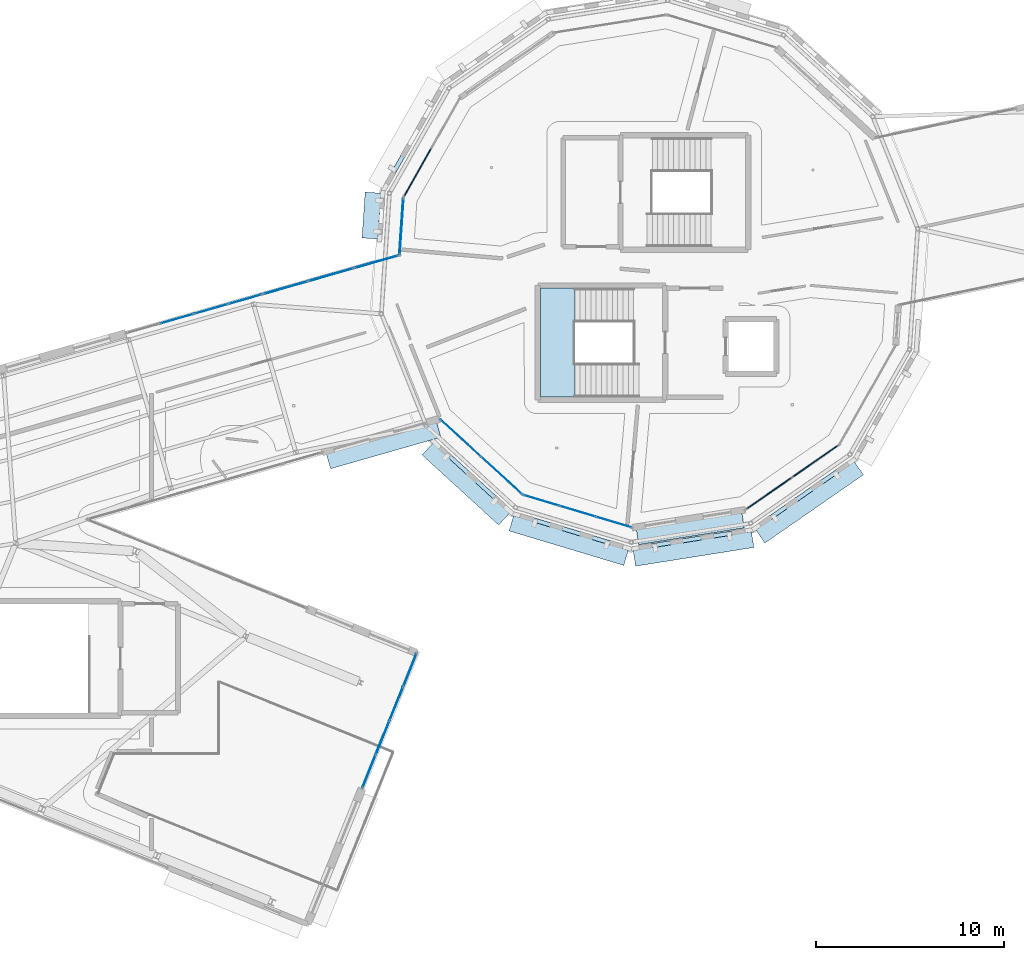
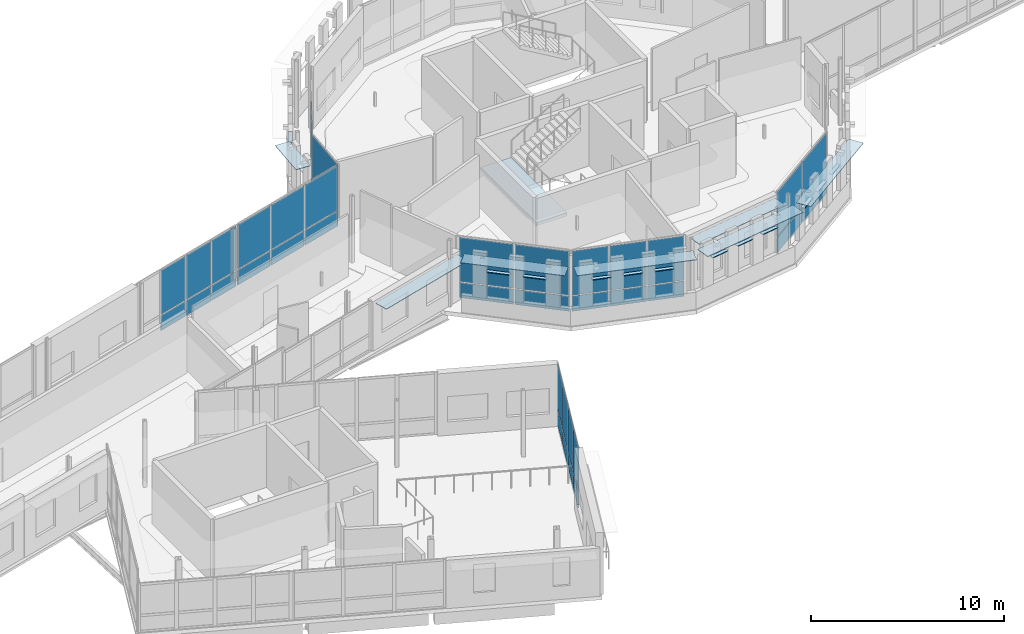
# One storey, part 76 of 125: 57 plates, 1 slab, 9 elements without a shape of their own.
"""IFC4 building model written with IfcOpenShell, lengths in metres."""

from ifc_helpers import new_model, si_unit, direction, frame, origin, origin_2d, place, context, subcontext, project, spatial, polyline, rectangle, outline, extrude, material, layer, layer_set, type_object, element, aggregate, save


model = new_model("IFC4")

# Units and contexts
model_context = context("Model", 3, precision=1e-05, world=origin(), true_north=direction((0.0, 1.0)))
body_context = subcontext(model_context, "Body", "Model", "MODEL_VIEW")
ifc_project = project(units=[si_unit("LENGTHUNIT", "METRE"), si_unit("AREAUNIT", "SQUARE_METRE"), si_unit("VOLUMEUNIT", "CUBIC_METRE"), si_unit("PLANEANGLEUNIT", "RADIAN"), si_unit("MASSUNIT", "GRAM", prefix="KILO")], contexts=[model_context])

# Site, building, storey
site_placement = place(None, origin())
site = spatial("IfcSite", under=ifc_project, at=site_placement, CompositionType="ELEMENT")
building_placement = place(site_placement, origin())
building = spatial("IfcBuilding", under=site, at=building_placement, Name="Wrenclough Park School", CompositionType="ELEMENT")
storey_placement = place(building_placement, frame((0.0, 0.0, 4.199951171875)))
storey = spatial("IfcBuildingStorey", under=building, at=storey_placement, Name="L01", CompositionType="ELEMENT", Elevation=4.199951171875)

# Curtain wall, plates
ifc_material_1 = material(Name="Thermally broken aluminium and low-e glass curtain wall", Category="aluminium")
curtain_wall_type_1 = type_object("IfcCurtainWallType", Name="ENV-CW-05", PredefinedType="USERDEFINED", material=ifc_material_1)
curtain_wall_1_placement = place(storey_placement, origin())
curtain_wall_1 = element("IfcCurtainWall", 1, at=curtain_wall_1_placement, inside=storey, type_object=curtain_wall_type_1, Name="L01 recessed curtain wall assembly 100", ObjectType="CURTAIN WALL", PredefinedType="USERDEFINED")
ifc_material_2 = material(Name="Double-glazed solar-control low-e glass", Category="glass")
ifc_layer_1 = layer(ifc_material_2, 0.02587890625)
ifc_layer_set_1 = layer_set([ifc_layer_1], Name="Double-glazed solar-control low-e glass")
plate_type_1 = type_object("IfcPlateType", Name="ENV-CWP-GL26", PredefinedType="CURTAIN_PANEL", material=ifc_layer_set_1)
plate_1_placement = place(storey_placement, frame((57.858642578125, 105.97607421875, 0.06494140625), z_axis=(0.0, 0.0, 1.0), x_axis=(0.96152245159, 0.274726364021, 0.0)))
plate_1 = element("IfcPlate", 2, at=plate_1_placement, type_object=plate_type_1, Name="CW-05 panel 2.1", PredefinedType="CURTAIN_PANEL", context=body_context, shape_type="SweptSolid", body=[
    extrude(rectangle(XDim=1.826904296875, YDim=0.02587890625, at=origin_2d()), origin(), (0.0, 0.0, 1.0), 0.952392578125),
])
plate_2_placement = place(storey_placement, frame((57.858642578125, 105.97607421875, 1.08251953125), z_axis=(0.0, 0.0, 1.0), x_axis=(0.96152245159, 0.274726364021, 0.0)))
plate_2 = element("IfcPlate", 3, at=plate_2_placement, type_object=plate_type_1, Name="CW-05 panel 2.2", PredefinedType="CURTAIN_PANEL", context=body_context, shape_type="SweptSolid", body=[
    extrude(rectangle(XDim=1.826904296875, YDim=0.02587890625, at=origin_2d()), origin(), (0.0, 0.0, 1.0), 2.79248046875),
])
plate_3_placement = place(storey_placement, frame((59.677490234375, 106.49560546875, 0.06494140625), z_axis=(0.0, 0.0, 1.0), x_axis=(0.96152245159, 0.274726364021, 0.0)))
plate_3 = element("IfcPlate", 4, at=plate_3_placement, type_object=plate_type_1, Name="CW-05 panel 3.1", PredefinedType="CURTAIN_PANEL", context=body_context, shape_type="SweptSolid", body=[
    extrude(rectangle(XDim=1.826904296875, YDim=0.02587890625, at=origin_2d()), origin(), (0.0, 0.0, 1.0), 0.952392578125),
])
plate_4_placement = place(storey_placement, frame((59.677490234375, 106.49560546875, 1.08251953125), z_axis=(0.0, 0.0, 1.0), x_axis=(0.96152245159, 0.274726364021, 0.0)))
plate_4 = element("IfcPlate", 5, at=plate_4_placement, type_object=plate_type_1, Name="CW-05 panel 3.2", PredefinedType="CURTAIN_PANEL", context=body_context, shape_type="SweptSolid", body=[
    extrude(rectangle(XDim=1.826904296875, YDim=0.02587890625, at=origin_2d()), origin(), (0.0, 0.0, 1.0), 2.79248046875),
])
plate_5_placement = place(storey_placement, frame((61.48095703125, 107.010986328125, 0.06494140625), z_axis=(0.0, 0.0, 1.0), x_axis=(0.96152245159, 0.274726364021, 0.0)))
plate_5 = element("IfcPlate", 6, at=plate_5_placement, type_object=plate_type_1, Name="CW-05 panel 4.1", PredefinedType="CURTAIN_PANEL", context=body_context, shape_type="SweptSolid", body=[
    extrude(rectangle(XDim=1.794189453125, YDim=0.02587890625, at=origin_2d()), origin(), (0.0, 0.0, 1.0), 0.952392578125),
])
plate_6_placement = place(storey_placement, frame((61.48095703125, 107.010986328125, 1.08251953125), z_axis=(0.0, 0.0, 1.0), x_axis=(0.96152245159, 0.274726364021, 0.0)))
plate_6 = element("IfcPlate", 7, at=plate_6_placement, type_object=plate_type_1, Name="CW-05 panel 4.2", PredefinedType="CURTAIN_PANEL", context=body_context, shape_type="SweptSolid", body=[
    extrude(rectangle(XDim=1.794189453125, YDim=0.02587890625, at=origin_2d()), origin(), (0.0, 0.0, 1.0), 2.79248046875),
])
aggregate(curtain_wall_1, [plate_1, plate_2, plate_3, plate_4, plate_5, plate_6])

curtain_wall_type_2 = type_object("IfcCurtainWallType", Name="ENV-CW-09", PredefinedType="USERDEFINED", material=ifc_material_1)
curtain_wall_2_placement = place(storey_placement, origin())
curtain_wall_2 = element("IfcCurtainWall", 8, at=curtain_wall_2_placement, inside=storey, type_object=curtain_wall_type_2, Name="L01 recessed curtain wall assembly 168", ObjectType="CURTAIN WALL", PredefinedType="USERDEFINED")
plate_7_placement = place(storey_placement, frame((81.091552734375, 95.15087890625, 0.06005859375), z_axis=(0.0, 0.0, 1.0), x_axis=(-0.957755621798, 0.287583325168, 0.0)))
plate_7 = element("IfcPlate", 9, at=plate_7_placement, type_object=plate_type_1, Name="CW-09 panel 1.1", PredefinedType="CURTAIN_PANEL", context=body_context, shape_type="SweptSolid", body=[
    extrude(rectangle(XDim=1.936279296875, YDim=0.02587890625, at=origin_2d()), origin(), (0.0, 0.0, 1.0), 0.9599609375),
])
plate_8_placement = place(storey_placement, frame((81.091552734375, 95.15087890625, 1.080078125), z_axis=(0.0, 0.0, 1.0), x_axis=(-0.957755621798, 0.287583325168, 0.0)))
plate_8 = element("IfcPlate", 10, at=plate_8_placement, type_object=plate_type_1, Name="CW-09 panel 1.2", PredefinedType="CURTAIN_PANEL", context=body_context, shape_type="SweptSolid", body=[
    extrude(rectangle(XDim=1.936279296875, YDim=0.02587890625, at=origin_2d()), origin(), (0.0, 0.0, 1.0), 2.800048828125),
])
plate_9_placement = place(storey_placement, frame((79.165283203125, 95.729248046875, 0.06005859375), z_axis=(0.0, 0.0, 1.0), x_axis=(-0.957755621798, 0.287583325168, 0.0)))
plate_9 = element("IfcPlate", 11, at=plate_9_placement, type_object=plate_type_1, Name="CW-09 panel 2.1", PredefinedType="CURTAIN_PANEL", context=body_context, shape_type="SweptSolid", body=[
    extrude(rectangle(XDim=1.96630859375, YDim=0.02587890625, at=origin_2d()), origin(), (0.0, 0.0, 1.0), 0.9599609375),
])
plate_10_placement = place(storey_placement, frame((79.165283203125, 95.729248046875, 1.080078125), z_axis=(0.0, 0.0, 1.0), x_axis=(-0.957755621798, 0.287583325168, 0.0)))
plate_10 = element("IfcPlate", 12, at=plate_10_placement, type_object=plate_type_1, Name="CW-09 panel 2.2", PredefinedType="CURTAIN_PANEL", context=body_context, shape_type="SweptSolid", body=[
    extrude(rectangle(XDim=1.96630859375, YDim=0.02587890625, at=origin_2d()), origin(), (0.0, 0.0, 1.0), 2.800048828125),
])
plate_11_placement = place(storey_placement, frame((77.239013671875, 96.3076171875, 0.06005859375), z_axis=(0.0, 0.0, 1.0), x_axis=(-0.957755621798, 0.287583325168, 0.0)))
plate_11 = element("IfcPlate", 13, at=plate_11_placement, type_object=plate_type_1, Name="CW-09 panel 3.1", PredefinedType="CURTAIN_PANEL", context=body_context, shape_type="SweptSolid", body=[
    extrude(rectangle(XDim=1.936279296875, YDim=0.02587890625, at=origin_2d()), origin(), (0.0, 0.0, 1.0), 0.9599609375),
])
plate_12_placement = place(storey_placement, frame((77.239013671875, 96.3076171875, 1.080078125), z_axis=(0.0, 0.0, 1.0), x_axis=(-0.957755621798, 0.287583325168, 0.0)))
plate_12 = element("IfcPlate", 14, at=plate_12_placement, type_object=plate_type_1, Name="CW-09 panel 3.2", PredefinedType="CURTAIN_PANEL", context=body_context, shape_type="SweptSolid", body=[
    extrude(rectangle(XDim=1.936279296875, YDim=0.02587890625, at=origin_2d()), origin(), (0.0, 0.0, 1.0), 2.800048828125),
])
aggregate(curtain_wall_2, [plate_7, plate_8, plate_9, plate_10, plate_11, plate_12])

curtain_wall_type_3 = type_object("IfcCurtainWallType", Name="ENV-CW-10", PredefinedType="USERDEFINED", material=ifc_material_1)
curtain_wall_3_placement = place(storey_placement, origin())
curtain_wall_3 = element("IfcCurtainWall", 15, at=curtain_wall_3_placement, inside=storey, type_object=curtain_wall_type_3, Name="L01 recessed curtain wall assembly 169", ObjectType="CURTAIN WALL", PredefinedType="USERDEFINED")
ifc_material_3 = material(Name="Double-glazed acoustic low-e glass", Category="glass")
ifc_layer_2 = layer(ifc_material_3, 0.030029296875)
ifc_layer_set_2 = layer_set([ifc_layer_2], Name="Double-glazed acoustic low-e glass")
plate_type_2 = type_object("IfcPlateType", Name="ENV-CWP-GL30", PredefinedType="CURTAIN_PANEL", material=ifc_layer_set_2)
plate_13_placement = place(storey_placement, frame((75.130859375, 97.6279296875, 0.06494140625), z_axis=(0.0, 0.0, 1.0), x_axis=(-0.738120799972, 0.67466857393, 0.0)))
plate_13 = element("IfcPlate", 16, at=plate_13_placement, type_object=plate_type_2, Name="CW-10 panel 1.1", PredefinedType="CURTAIN_PANEL", context=body_context, shape_type="SweptSolid", body=[
    extrude(rectangle(XDim=2.895263671875, YDim=0.030029296875, at=origin_2d()), origin(), (0.0, 0.0, 1.0), 0.952392578125),
])
plate_14_placement = place(storey_placement, frame((75.130859375, 97.6279296875, 1.08251953125), z_axis=(0.0, 0.0, 1.0), x_axis=(-0.738120799972, 0.67466857393, 0.0)))
plate_14 = element("IfcPlate", 17, at=plate_14_placement, type_object=plate_type_2, Name="CW-10 panel 1.2", PredefinedType="CURTAIN_PANEL", context=body_context, shape_type="SweptSolid", body=[
    extrude(rectangle(XDim=2.895263671875, YDim=0.030029296875, at=origin_2d()), origin(), (0.0, 0.0, 1.0), 2.79248046875),
])
plate_15_placement = place(storey_placement, frame((72.94580078125, 99.625, 0.06494140625), z_axis=(0.0, 0.0, 1.0), x_axis=(-0.738120799972, 0.67466857393, 0.0)))
plate_15 = element("IfcPlate", 18, at=plate_15_placement, type_object=plate_type_2, Name="CW-10 panel 2.1", PredefinedType="CURTAIN_PANEL", context=body_context, shape_type="SweptSolid", body=[
    extrude(rectangle(XDim=2.895263671875, YDim=0.030029296875, at=origin_2d()), origin(), (0.0, 0.0, 1.0), 0.952392578125),
])
plate_16_placement = place(storey_placement, frame((72.94580078125, 99.625, 1.08251953125), z_axis=(0.0, 0.0, 1.0), x_axis=(-0.738120799972, 0.67466857393, 0.0)))
plate_16 = element("IfcPlate", 19, at=plate_16_placement, type_object=plate_type_2, Name="CW-10 panel 2.2", PredefinedType="CURTAIN_PANEL", context=body_context, shape_type="SweptSolid", body=[
    extrude(rectangle(XDim=2.895263671875, YDim=0.030029296875, at=origin_2d()), origin(), (0.0, 0.0, 1.0), 2.79248046875),
])
aggregate(curtain_wall_3, [plate_13, plate_14, plate_15, plate_16])

curtain_wall_type_4 = type_object("IfcCurtainWallType", Name="ENV-CW-06", PredefinedType="USERDEFINED", material=ifc_material_1)
curtain_wall_4_placement = place(storey_placement, origin())
curtain_wall_4 = element("IfcCurtainWall", 20, at=curtain_wall_4_placement, inside=storey, type_object=curtain_wall_type_4, Name="L01 recessed curtain wall assembly 101", ObjectType="CURTAIN WALL", PredefinedType="USERDEFINED")
ifc_material_4 = material(Name="Insulated anodised aluminium spandrel panel", Category="aluminium")
ifc_layer_3 = layer(ifc_material_4, 0.0419921875)
ifc_layer_set_3 = layer_set([ifc_layer_3], Name="Insulated anodised aluminium spandrel panel")
plate_type_3 = type_object("IfcPlateType", Name="ENV-CWP-SP42", PredefinedType="CURTAIN_PANEL", material=ifc_layer_set_3)
plate_17_placement = place(storey_placement, frame((63.643310546875, 107.628662109375, 0.06982421875), z_axis=(0.0, 0.0, 1.0), x_axis=(0.961525942338, 0.274714146361, 0.0)))
plate_17 = element("IfcPlate", 21, at=plate_17_placement, type_object=plate_type_3, Name="CW-06 panel 1.1", PredefinedType="CURTAIN_PANEL", context=body_context, shape_type="SweptSolid", body=[
    extrude(rectangle(XDim=2.41748046875, YDim=0.0419921875, at=origin_2d()), origin(), (0.0, 0.0, 1.0), 0.945068359375),
])
plate_18_placement = place(storey_placement, frame((63.643310546875, 107.628662109375, 1.0849609375), z_axis=(0.0, 0.0, 1.0), x_axis=(0.961525942338, 0.274714146361, 0.0)))
plate_18 = element("IfcPlate", 22, at=plate_18_placement, type_object=plate_type_3, Name="CW-06 panel 1.2", PredefinedType="CURTAIN_PANEL", context=body_context, shape_type="SweptSolid", body=[
    extrude(rectangle(XDim=2.41748046875, YDim=0.0419921875, at=origin_2d()), origin(), (0.0, 0.0, 1.0), 2.784912109375),
])
plate_19_placement = place(storey_placement, frame((66.0517578125, 108.31689453125, 0.06982421875), z_axis=(0.0, 0.0, 1.0), x_axis=(0.961525942338, 0.274714146361, 0.0)))
plate_19 = element("IfcPlate", 23, at=plate_19_placement, type_object=plate_type_3, Name="CW-06 panel 2.1", PredefinedType="CURTAIN_PANEL", context=body_context, shape_type="SweptSolid", body=[
    extrude(rectangle(XDim=2.452392578125, YDim=0.0419921875, at=origin_2d()), origin(), (0.0, 0.0, 1.0), 0.945068359375),
])
plate_20_placement = place(storey_placement, frame((66.0517578125, 108.31689453125, 1.0849609375), z_axis=(0.0, 0.0, 1.0), x_axis=(0.961525942338, 0.274714146361, 0.0)))
plate_20 = element("IfcPlate", 24, at=plate_20_placement, type_object=plate_type_3, Name="CW-06 panel 2.2", PredefinedType="CURTAIN_PANEL", context=body_context, shape_type="SweptSolid", body=[
    extrude(rectangle(XDim=2.452392578125, YDim=0.0419921875, at=origin_2d()), origin(), (0.0, 0.0, 1.0), 2.784912109375),
])
plate_21_placement = place(storey_placement, frame((68.460205078125, 109.005126953125, 0.06982421875), z_axis=(0.0, 0.0, 1.0), x_axis=(0.961525942338, 0.274714146361, 0.0)))
plate_21 = element("IfcPlate", 25, at=plate_21_placement, type_object=plate_type_3, Name="CW-06 panel 3.1", PredefinedType="CURTAIN_PANEL", context=body_context, shape_type="SweptSolid", body=[
    extrude(rectangle(XDim=2.41748046875, YDim=0.0419921875, at=origin_2d()), origin(), (0.0, 0.0, 1.0), 0.945068359375),
])
plate_22_placement = place(storey_placement, frame((68.460205078125, 109.005126953125, 1.0849609375), z_axis=(0.0, 0.0, 1.0), x_axis=(0.961525942338, 0.274714146361, 0.0)))
plate_22 = element("IfcPlate", 26, at=plate_22_placement, type_object=plate_type_3, Name="CW-06 panel 3.2", PredefinedType="CURTAIN_PANEL", context=body_context, shape_type="SweptSolid", body=[
    extrude(rectangle(XDim=2.41748046875, YDim=0.0419921875, at=origin_2d()), origin(), (0.0, 0.0, 1.0), 2.784912109375),
])
aggregate(curtain_wall_4, [plate_17, plate_18, plate_19, plate_20, plate_21, plate_22])

curtain_wall_type_5 = type_object("IfcCurtainWallType", Name="ENV-CW-07", PredefinedType="USERDEFINED", material=ifc_material_1)
curtain_wall_5_placement = place(storey_placement, origin())
curtain_wall_5 = element("IfcCurtainWall", 27, at=curtain_wall_5_placement, inside=storey, type_object=curtain_wall_type_5, Name="L01 recessed curtain wall assembly 102", ObjectType="CURTAIN WALL", PredefinedType="USERDEFINED")
ifc_material_5 = material(Name="Insulated patinated copper-toned spandrel panel", Category="aluminium")
ifc_layer_4 = layer(ifc_material_5, 0.048095703125)
ifc_layer_set_4 = layer_set([ifc_layer_4], Name="Insulated patinated copper-toned spandrel panel")
plate_type_4 = type_object("IfcPlateType", Name="ENV-CWP-SP48", PredefinedType="CURTAIN_PANEL", material=ifc_layer_set_4)
plate_23_placement = place(storey_placement, frame((69.797119140625, 110.8955078125, 0.06005859375), z_axis=(0.0, 0.0, 1.0), x_axis=(0.067252867383, 0.997735962983, 0.0)))
plate_23 = element("IfcPlate", 28, at=plate_23_placement, type_object=plate_type_4, Name="CW-07 panel 1.1", PredefinedType="CURTAIN_PANEL", context=body_context, shape_type="SweptSolid", body=[
    extrude(rectangle(XDim=2.955078125, YDim=0.048095703125, at=origin_2d()), origin(), (0.0, 0.0, 1.0), 0.9599609375),
])
plate_24_placement = place(storey_placement, frame((69.797119140625, 110.8955078125, 1.080078125), z_axis=(0.0, 0.0, 1.0), x_axis=(0.067252867383, 0.997735962983, 0.0)))
plate_24 = element("IfcPlate", 29, at=plate_24_placement, type_object=plate_type_4, Name="CW-07 panel 1.2", PredefinedType="CURTAIN_PANEL", context=body_context, shape_type="SweptSolid", body=[
    extrude(rectangle(XDim=2.955078125, YDim=0.048095703125, at=origin_2d()), origin(), (0.0, 0.0, 1.0), 2.800048828125),
])
aggregate(curtain_wall_5, [plate_23, plate_24])

curtain_wall_type_6 = type_object("IfcCurtainWallType", Name="ENV-CW-15", PredefinedType="USERDEFINED", material=ifc_material_1)
curtain_wall_6_placement = place(storey_placement, origin())
curtain_wall_6 = element("IfcCurtainWall", 30, at=curtain_wall_6_placement, inside=storey, type_object=curtain_wall_type_6, Name="L01 recessed curtain wall assembly 174", ObjectType="CURTAIN WALL", PredefinedType="USERDEFINED")
plate_25_placement = place(storey_placement, frame((70.24365234375, 87.27001953125, 0.06005859375), z_axis=(0.0, 0.0, 1.0), x_axis=(-0.374589627082, -0.92719070923, 0.0)))
plate_25 = element("IfcPlate", 31, at=plate_25_placement, type_object=plate_type_4, Name="CW-15 panel 1.1", PredefinedType="CURTAIN_PANEL", context=body_context, shape_type="SweptSolid", body=[
    extrude(rectangle(XDim=1.85302734375, YDim=0.048095703125, at=origin_2d()), origin(), (0.0, 0.0, 1.0), 0.9599609375),
])
plate_26_placement = place(storey_placement, frame((70.24365234375, 87.27001953125, 1.080078125), z_axis=(0.0, 0.0, 1.0), x_axis=(-0.374589627082, -0.92719070923, 0.0)))
plate_26 = element("IfcPlate", 32, at=plate_26_placement, type_object=plate_type_4, Name="CW-15 panel 1.2", PredefinedType="CURTAIN_PANEL", context=body_context, shape_type="SweptSolid", body=[
    extrude(rectangle(XDim=1.85302734375, YDim=0.048095703125, at=origin_2d()), origin(), (0.0, 0.0, 1.0), 2.800048828125),
])
plate_27_placement = place(storey_placement, frame((69.521484375, 85.482421875, 0.06005859375), z_axis=(0.0, 0.0, 1.0), x_axis=(-0.374589627082, -0.92719070923, 0.0)))
plate_27 = element("IfcPlate", 33, at=plate_27_placement, type_object=plate_type_4, Name="CW-15 panel 2.1", PredefinedType="CURTAIN_PANEL", context=body_context, shape_type="SweptSolid", body=[
    extrude(rectangle(XDim=1.883056640625, YDim=0.048095703125, at=origin_2d()), origin(), (0.0, 0.0, 1.0), 0.9599609375),
])
plate_28_placement = place(storey_placement, frame((69.521484375, 85.482421875, 1.080078125), z_axis=(0.0, 0.0, 1.0), x_axis=(-0.374589627082, -0.92719070923, 0.0)))
plate_28 = element("IfcPlate", 34, at=plate_28_placement, type_object=plate_type_4, Name="CW-15 panel 2.2", PredefinedType="CURTAIN_PANEL", context=body_context, shape_type="SweptSolid", body=[
    extrude(rectangle(XDim=1.883056640625, YDim=0.048095703125, at=origin_2d()), origin(), (0.0, 0.0, 1.0), 2.800048828125),
])
plate_29_placement = place(storey_placement, frame((68.793701171875, 83.680908203125, 0.06005859375), z_axis=(0.0, 0.0, 1.0), x_axis=(-0.374589627082, -0.92719070923, 0.0)))
plate_29 = element("IfcPlate", 35, at=plate_29_placement, type_object=plate_type_4, Name="CW-15 panel 3.1", PredefinedType="CURTAIN_PANEL", context=body_context, shape_type="SweptSolid", body=[
    extrude(rectangle(XDim=1.883056640625, YDim=0.048095703125, at=origin_2d()), origin(), (0.0, 0.0, 1.0), 0.9599609375),
])
plate_30_placement = place(storey_placement, frame((68.793701171875, 83.680908203125, 1.080078125), z_axis=(0.0, 0.0, 1.0), x_axis=(-0.374589627082, -0.92719070923, 0.0)))
plate_30 = element("IfcPlate", 36, at=plate_30_placement, type_object=plate_type_4, Name="CW-15 panel 3.2", PredefinedType="CURTAIN_PANEL", context=body_context, shape_type="SweptSolid", body=[
    extrude(rectangle(XDim=1.883056640625, YDim=0.048095703125, at=origin_2d()), origin(), (0.0, 0.0, 1.0), 2.800048828125),
])
plate_31_placement = place(storey_placement, frame((68.071533203125, 81.89306640625, 0.06005859375), z_axis=(0.0, 0.0, 1.0), x_axis=(-0.374589627082, -0.92719070923, 0.0)))
plate_31 = element("IfcPlate", 37, at=plate_31_placement, type_object=plate_type_4, Name="CW-15 panel 4.1", PredefinedType="CURTAIN_PANEL", context=body_context, shape_type="SweptSolid", body=[
    extrude(rectangle(XDim=1.85302734375, YDim=0.048095703125, at=origin_2d()), origin(), (0.0, 0.0, 1.0), 0.9599609375),
])
plate_32_placement = place(storey_placement, frame((68.071533203125, 81.89306640625, 1.080078125), z_axis=(0.0, 0.0, 1.0), x_axis=(-0.374589627082, -0.92719070923, 0.0)))
plate_32 = element("IfcPlate", 38, at=plate_32_placement, type_object=plate_type_4, Name="CW-15 panel 4.2", PredefinedType="CURTAIN_PANEL", context=body_context, shape_type="SweptSolid", body=[
    extrude(rectangle(XDim=1.85302734375, YDim=0.048095703125, at=origin_2d()), origin(), (0.0, 0.0, 1.0), 2.800048828125),
])
aggregate(curtain_wall_6, [plate_25, plate_26, plate_27, plate_28, plate_29, plate_30, plate_31, plate_32])

curtain_wall_type_7 = type_object("IfcCurtainWallType", Name="ENV-CW-08", PredefinedType="USERDEFINED", material=ifc_material_1)
curtain_wall_7_placement = place(storey_placement, origin())
curtain_wall_7 = element("IfcCurtainWall", 39, at=curtain_wall_7_placement, inside=storey, type_object=curtain_wall_type_7, Name="L01 recessed curtain wall assembly 103", ObjectType="CURTAIN WALL", PredefinedType="USERDEFINED")
ifc_material_6 = material(Name="Acoustic mineral-wool spandrel cassette", Category="aluminium")
ifc_layer_5 = layer(ifc_material_6, 0.053955078125)
ifc_layer_set_5 = layer_set([ifc_layer_5], Name="Acoustic mineral-wool spandrel cassette")
plate_type_5 = type_object("IfcPlateType", Name="ENV-CWP-SP54", PredefinedType="CURTAIN_PANEL", material=ifc_layer_set_5)
plate_33_placement = place(storey_placement, frame((70.660888671875, 113.77294921875, 0.06494140625), z_axis=(0.0, 0.0, 1.0), x_axis=(0.493500599274, 0.869745456163, 0.0)))
plate_33 = element("IfcPlate", 40, at=plate_33_placement, type_object=plate_type_5, Name="CW-08 panel 1.1", PredefinedType="CURTAIN_PANEL", context=body_context, shape_type="SweptSolid", body=[
    extrude(rectangle(XDim=2.94189453125, YDim=0.053955078125, at=origin_2d()), origin(), (0.0, 0.0, 1.0), 0.952392578125),
])
plate_34_placement = place(storey_placement, frame((70.660888671875, 113.77294921875, 1.08251953125), z_axis=(0.0, 0.0, 1.0), x_axis=(0.493500599274, 0.869745456163, 0.0)))
plate_34 = element("IfcPlate", 41, at=plate_34_placement, type_object=plate_type_5, Name="CW-08 panel 1.2", PredefinedType="CURTAIN_PANEL", context=body_context, shape_type="SweptSolid", body=[
    extrude(rectangle(XDim=2.94189453125, YDim=0.053955078125, at=origin_2d()), origin(), (0.0, 0.0, 1.0), 2.79248046875),
])
aggregate(curtain_wall_7, [plate_33, plate_34])

curtain_wall_8_placement = place(storey_placement, origin())
curtain_wall_8 = element("IfcCurtainWall", 42, at=curtain_wall_8_placement, inside=storey, type_object=curtain_wall_type_7, Name="L01 recessed curtain wall assembly 167", ObjectType="CURTAIN WALL", PredefinedType="USERDEFINED")
plate_35_placement = place(storey_placement, frame((91.828369140625, 98.394775390625, 0.06982421875), z_axis=(0.0, 0.0, 1.0), x_axis=(-0.822000846783, -0.569486266638, 0.0)))
plate_35 = element("IfcPlate", 43, at=plate_35_placement, type_object=plate_type_5, Name="CW-08 panel 1.1", PredefinedType="CURTAIN_PANEL", context=body_context, shape_type="SweptSolid", body=[
    extrude(rectangle(XDim=2.934326171875, YDim=0.053955078125, at=origin_2d()), origin(), (0.0, 0.0, 1.0), 0.945068359375),
])
plate_36_placement = place(storey_placement, frame((91.828369140625, 98.394775390625, 1.0849609375), z_axis=(0.0, 0.0, 1.0), x_axis=(-0.822000846783, -0.569486266638, 0.0)))
plate_36 = element("IfcPlate", 44, at=plate_36_placement, type_object=plate_type_5, Name="CW-08 panel 1.2", PredefinedType="CURTAIN_PANEL", context=body_context, shape_type="SweptSolid", body=[
    extrude(rectangle(XDim=2.934326171875, YDim=0.053955078125, at=origin_2d()), origin(), (0.0, 0.0, 1.0), 2.784912109375),
])
plate_37_placement = place(storey_placement, frame((89.35888671875, 96.683837890625, 0.06982421875), z_axis=(0.0, 0.0, 1.0), x_axis=(-0.822000846783, -0.569486266638, 0.0)))
plate_37 = element("IfcPlate", 45, at=plate_37_placement, type_object=plate_type_5, Name="CW-08 panel 2.1", PredefinedType="CURTAIN_PANEL", context=body_context, shape_type="SweptSolid", body=[
    extrude(rectangle(XDim=2.934326171875, YDim=0.053955078125, at=origin_2d()), origin(), (0.0, 0.0, 1.0), 0.945068359375),
])
plate_38_placement = place(storey_placement, frame((89.35888671875, 96.683837890625, 1.0849609375), z_axis=(0.0, 0.0, 1.0), x_axis=(-0.822000846783, -0.569486266638, 0.0)))
plate_38 = element("IfcPlate", 46, at=plate_38_placement, type_object=plate_type_5, Name="CW-08 panel 2.2", PredefinedType="CURTAIN_PANEL", context=body_context, shape_type="SweptSolid", body=[
    extrude(rectangle(XDim=2.934326171875, YDim=0.053955078125, at=origin_2d()), origin(), (0.0, 0.0, 1.0), 2.784912109375),
])
aggregate(curtain_wall_8, [plate_35, plate_36, plate_37, plate_38])

# Plates
ifc_material_7 = material(Name="Anodised architectural aluminium solar shading fin plate", Category="aluminium")
ifc_layer_6 = layer(ifc_material_7, 0.0380859375)
ifc_layer_set_6 = layer_set([ifc_layer_6], Name="Anodised architectural aluminium solar shading fin plate")
plate_type_6 = type_object("IfcPlateType", Name="ENV-PL-BSF", PredefinedType="SHEET", material=ifc_layer_set_6)
plate_39_placement = place(storey_placement, frame((69.614013671875, 114.1767578125, 2.72216796875), z_axis=(0.0, 0.0, 1.0), x_axis=(-0.493508752009, -0.869740830185, 0.0)))
element("IfcPlate", 47, at=plate_39_placement, inside=storey, type_object=plate_type_6, Name="D4 L01 open-bond brick screen tie band 0243", PredefinedType="SHEET", context=body_context, shape_type="SweptSolid", body=[
    extrude(rectangle(XDim=1.017822265625, YDim=0.219970703125, at=origin_2d()), origin(), (0.0, 0.0, 1.0), 0.0419921875),
])
plate_40_placement = place(storey_placement, frame((68.20458984375, 111.466796875, 3.700927734375), z_axis=(0.0, 0.0, 1.0), x_axis=(-0.067258571961, -0.997735578446, 0.0)))
element("IfcPlate", 48, at=plate_40_placement, inside=storey, type_object=plate_type_6, Name="D4 L01 sun-side projecting brise-soleil blade 0027", PredefinedType="SHEET", context=body_context, shape_type="SweptSolid", body=[
    extrude(rectangle(XDim=2.446044921875, YDim=0.85009765625, at=origin_2d()), origin(), (0.0, 0.0, 1.0), 0.0380859375),
])
for number, where, z_axis, x_axis, name in (
    (49, (72.848876953125, 98.2099609375, 2.72216796875), (0.0, 0.0, 1.0), (0.738123462925, -0.674665660516, 0.0), "D4 L01 open-bond brick screen tie band 0245"),
    (50, (74.28369140625, 96.8984375, 2.72216796875), (0.0, 0.0, 1.0), (0.738123462925, -0.674665660516, 0.0), "D4 L01 open-bond brick screen tie band 0246"),
):
    element("IfcPlate", number, at=place(storey_placement, frame(where, z_axis=z_axis, x_axis=x_axis)), inside=storey, type_object=plate_type_6, Name=name, PredefinedType="SHEET", context=body_context, shape_type="SweptSolid", body=[
        extrude(rectangle(XDim=1.23388671875, YDim=0.219970703125, at=origin_2d()), origin(), (0.0, 0.0, 1.0), 0.0419921875),
    ])
plate_41_placement = place(storey_placement, frame((73.21728515625, 97.172119140625, 3.700927734375), z_axis=(0.0, 0.0, 1.0), x_axis=(0.738123462925, -0.674665660516, 0.0)))
element("IfcPlate", 51, at=plate_41_placement, inside=storey, type_object=plate_type_6, Name="D4 L01 sun-side projecting brise-soleil blade 0028", PredefinedType="SHEET", context=body_context, shape_type="SweptSolid", body=[
    extrude(rectangle(XDim=5.5322265625, YDim=0.85009765625, at=origin_2d()), origin(), (0.0, 0.0, 1.0), 0.0380859375),
])
for number, where, z_axis, x_axis, name in (
    (52, (77.24755859375, 95.146240234375, 2.72216796875), (0.0, 0.0, 1.0), (0.957751215921, -0.287597997911, 0.0), "D4 L01 open-bond brick screen tie band 0247"),
    (53, (78.845947265625, 94.666259765625, 2.72216796875), (0.0, 0.0, 1.0), (0.957751215921, -0.287597997911, 0.0), "D4 L01 open-bond brick screen tie band 0248"),
    (54, (80.4443359375, 94.186279296875, 2.72216796875), (0.0, 0.0, 1.0), (0.957751215921, -0.287597997911, 0.0), "D4 L01 open-bond brick screen tie band 0249"),
):
    element("IfcPlate", number, at=place(storey_placement, frame(where, z_axis=z_axis, x_axis=x_axis)), inside=storey, type_object=plate_type_6, Name=name, PredefinedType="SHEET", context=body_context, shape_type="SweptSolid", body=[
        extrude(rectangle(XDim=1.017822265625, YDim=0.219970703125, at=origin_2d()), origin(), (0.0, 0.0, 1.0), 0.0419921875),
    ])
plate_42_placement = place(storey_placement, frame((78.697265625, 94.170654296875, 3.700927734375), z_axis=(0.0, 0.0, 1.0), x_axis=(0.957751215921, -0.287597997911, 0.0)))
element("IfcPlate", 55, at=plate_42_placement, inside=storey, type_object=plate_type_6, Name="D4 L01 sun-side projecting brise-soleil blade 0029", PredefinedType="SHEET", context=body_context, shape_type="SweptSolid", body=[
    extrude(rectangle(XDim=6.37548828125, YDim=0.85009765625, at=origin_2d()), origin(), (0.0, 0.0, 1.0), 0.0380859375),
])
for number, where, z_axis, x_axis, name in (
    (56, (83.611083984375, 93.972900390625, 2.72216796875), (0.0, 0.0, 1.0), (0.98768815471, 0.156435638666, 0.0), "D4 L01 open-bond brick screen tie band 0250"),
    (57, (85.259521484375, 94.23388671875, 2.72216796875), (0.0, 0.0, 1.0), (0.98768815471, 0.156435638666, 0.0), "D4 L01 open-bond brick screen tie band 0251"),
    (58, (86.90771484375, 94.4951171875, 2.72216796875), (0.0, 0.0, 1.0), (0.98768815471, 0.156435638666, 0.0), "D4 L01 open-bond brick screen tie band 0252"),
):
    element("IfcPlate", number, at=place(storey_placement, frame(where, z_axis=z_axis, x_axis=x_axis)), inside=storey, type_object=plate_type_6, Name=name, PredefinedType="SHEET", context=body_context, shape_type="SweptSolid", body=[
        extrude(rectangle(XDim=1.017822265625, YDim=0.219970703125, at=origin_2d()), origin(), (0.0, 0.0, 1.0), 0.0419921875),
    ])
plate_43_placement = place(storey_placement, frame((85.340576171875, 93.722900390625, 3.700927734375), z_axis=(0.0, 0.0, 1.0), x_axis=(0.98768815471, 0.156435638666, 0.0)))
element("IfcPlate", 59, at=plate_43_placement, inside=storey, type_object=plate_type_6, Name="D4 L01 sun-side projecting brise-soleil blade 0030", PredefinedType="SHEET", context=body_context, shape_type="SweptSolid", body=[
    extrude(rectangle(XDim=6.37548828125, YDim=0.85009765625, at=origin_2d()), origin(), (0.0, 0.0, 1.0), 0.0380859375),
])
plate_44_placement = place(storey_placement, frame((89.853759765625, 95.6767578125, 2.72216796875), z_axis=(0.0, 0.0, 1.0), x_axis=(0.8220077158, 0.569476351718, 0.0)))
element("IfcPlate", 60, at=plate_44_placement, inside=storey, type_object=plate_type_6, Name="D4 L01 open-bond brick screen tie band 0253", PredefinedType="SHEET", context=body_context, shape_type="SweptSolid", body=[
    extrude(rectangle(XDim=1.01806640625, YDim=0.219970703125, at=origin_2d()), origin(), (0.0, 0.0, 1.0), 0.0419921875),
])
plate_45_placement = place(storey_placement, frame((91.2255859375, 96.627197265625, 2.72216796875), z_axis=(0.0, 0.0, 1.0), x_axis=(0.8220077158, 0.569476351718, 0.0)))
element("IfcPlate", 61, at=plate_45_placement, inside=storey, type_object=plate_type_6, Name="D4 L01 open-bond brick screen tie band 0254", PredefinedType="SHEET", context=body_context, shape_type="SweptSolid", body=[
    extrude(rectangle(XDim=1.017822265625, YDim=0.219970703125, at=origin_2d()), origin(), (0.0, 0.0, 1.0), 0.0419921875),
])
plate_46_placement = place(storey_placement, frame((92.597412109375, 97.577392578125, 2.72216796875), z_axis=(0.0, 0.0, 1.0), x_axis=(0.8220077158, 0.569476351718, 0.0)))
element("IfcPlate", 62, at=plate_46_placement, inside=storey, type_object=plate_type_6, Name="D4 L01 open-bond brick screen tie band 0255", PredefinedType="SHEET", context=body_context, shape_type="SweptSolid", body=[
    extrude(rectangle(XDim=1.01806640625, YDim=0.219970703125, at=origin_2d()), origin(), (0.0, 0.0, 1.0), 0.0419921875),
])
plate_47_placement = place(storey_placement, frame((91.520263671875, 96.20166015625, 3.700927734375), z_axis=(0.0, 0.0, 1.0), x_axis=(0.8220077158, 0.569476351718, 0.0)))
element("IfcPlate", 63, at=plate_47_placement, inside=storey, type_object=plate_type_6, Name="D4 L01 sun-side projecting brise-soleil blade 0031", PredefinedType="SHEET", context=body_context, shape_type="SweptSolid", body=[
    extrude(rectangle(XDim=6.37548828125, YDim=0.85009765625, at=origin_2d()), origin(), (0.0, 0.0, 1.0), 0.0380859375),
])
plate_48_placement = place(storey_placement, frame((85.171142578125, 94.7919921875, 3.720947265625), z_axis=(0.0, 0.0, 1.0), x_axis=(-0.987691464917, -0.156414737575, 0.0)))
element("IfcPlate", 64, at=plate_48_placement, inside=storey, type_object=plate_type_6, Name="L01 link wing sun-side brise-soleil blade 0164", PredefinedType="SHEET", context=body_context, shape_type="SweptSolid", body=[
    extrude(rectangle(XDim=5.68701171875, YDim=0.800048828125, at=origin_2d()), origin(), (0.0, 0.0, 1.0), 0.0380859375),
])
plate_49_placement = place(storey_placement, frame((68.85107421875, 99.2158203125, 2.9130859375), z_axis=(0.0, 0.0, 1.0), x_axis=(-0.961522208278, -0.274727215594, 0.0)))
element("IfcPlate", 65, at=plate_49_placement, inside=storey, type_object=plate_type_6, Name="L01 link wing sun-side brise-soleil blade 0165", PredefinedType="SHEET", context=body_context, shape_type="SweptSolid", body=[
    extrude(rectangle(XDim=6.108642578125, YDim=0.800048828125, at=origin_2d()), origin(), (0.0, 0.0, 1.0), 0.0380859375),
])

# Stair, slab
ifc_material_8 = material(Name="Precast concrete C40/50", Category="concrete")
stair_type = type_object("IfcStairType", Name="INT-ST-180-42", PredefinedType="HALF_TURN_STAIR", material=ifc_material_8)
stair_placement = place(storey_placement, origin())
stair = element("IfcStair", 66, at=stair_placement, inside=storey, type_object=stair_type, Name="L01 escape stair ST-04", PredefinedType="HALF_TURN_STAIR")
ifc_layer_7 = layer(ifc_material_8, 0.195068359375)
ifc_layer_set_7 = layer_set([ifc_layer_7], Name="Precast concrete C40/50")
slab_type = type_object("IfcSlabType", Name="INT-SL-LAND195", PredefinedType="LANDING", material=ifc_layer_set_7)
slab_placement = place(storey_placement, frame((0.0, 0.0, 1.989013671875)))
slab = element("IfcSlab", 67, at=slab_placement, type_object=slab_type, Name="ST-04 landing 1", PredefinedType="LANDING", context=body_context, shape_type="SweptSolid", body=[
    extrude(outline(polyline([(77.199951171875, 101.800048828125), (79.02294921875, 101.800048828125), (79.02294921875, 107.60009765625), (77.199951171875, 107.60009765625), (77.199951171875, 101.800048828125)])), origin(), (0.0, 0.0, 1.0), 0.195068359375),
])
aggregate(stair, [slab])

save(model, "model.ifc")
